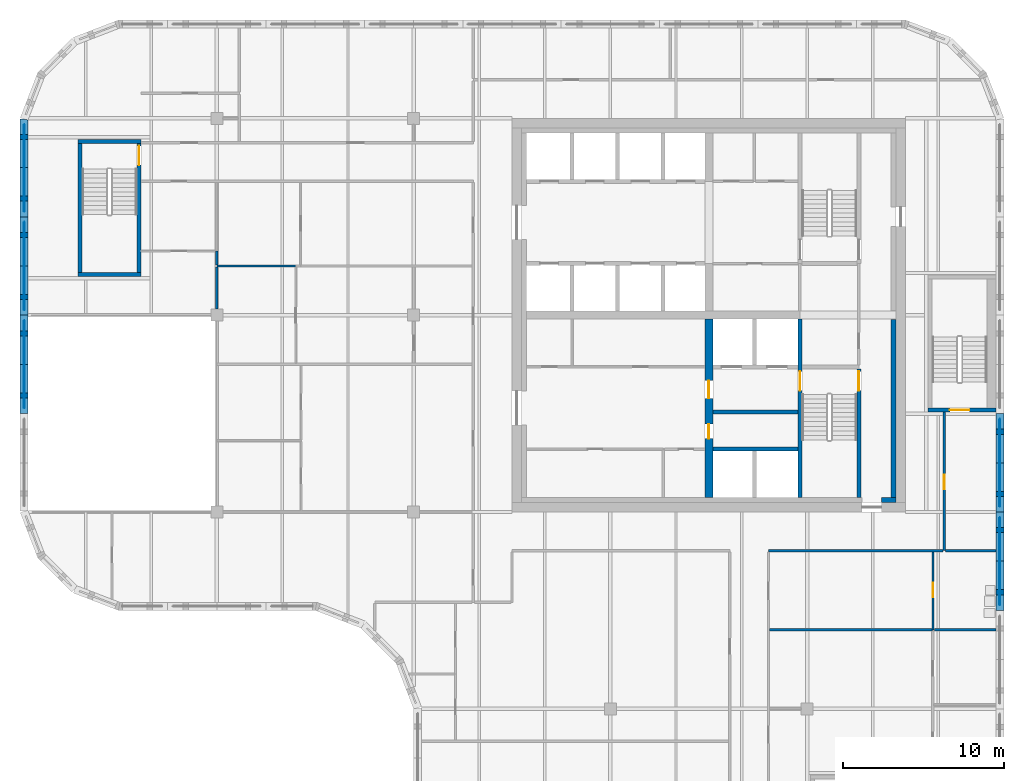
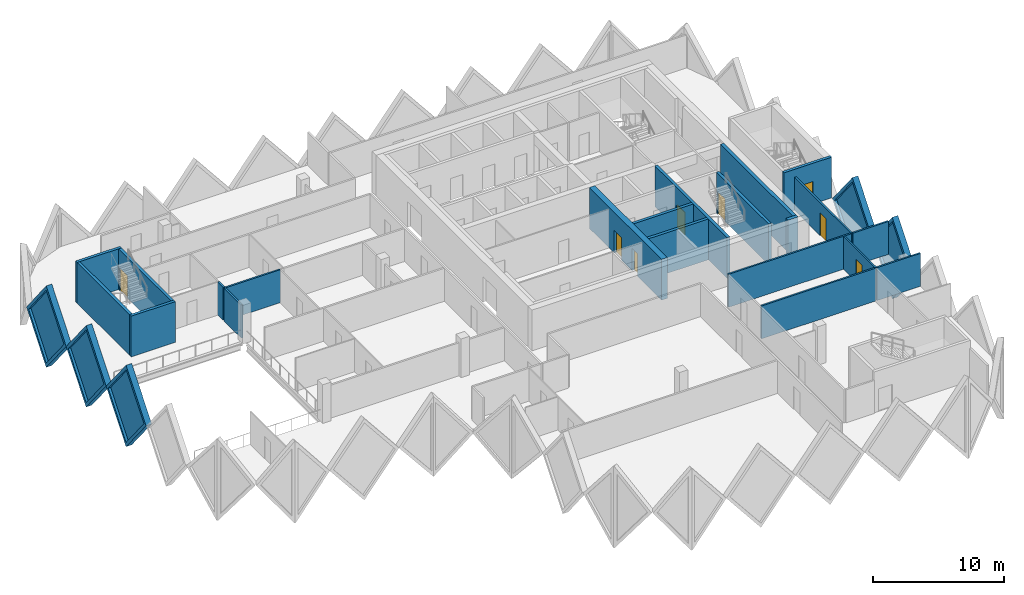
# One storey, part 6 of 12: 26 walls, 8 doors, 5 plates, 13 openings.
"""IFC4 building model written with IfcOpenShell, lengths in metres."""

from ifc_helpers import new_model, si_unit, direction, frame, frame_2d, origin, place, context, subcontext, project, spatial, polyline, rectangle, outline, extrude, faceted_brep, source, transform, mapped, material, layer, layer_set, type_object, element, fill, save


model = new_model("IFC4")

# Units and contexts
model_context = context("Model", 3, precision=1e-05, world=origin(), true_north=direction((0.0, 1.0)))
body_context = subcontext(model_context, "Body", "Model", "MODEL_VIEW")
ifc_project = project(units=[si_unit("LENGTHUNIT", "METRE"), si_unit("AREAUNIT", "SQUARE_METRE"), si_unit("VOLUMEUNIT", "CUBIC_METRE"), si_unit("PLANEANGLEUNIT", "RADIAN"), si_unit("MASSUNIT", "GRAM", prefix="KILO")], contexts=[model_context])

# Site, building, storey
site_placement = place(None, origin())
site = spatial("IfcSite", under=ifc_project, at=site_placement, CompositionType="ELEMENT")
building_placement = place(site_placement, origin())
building = spatial("IfcBuilding", under=site, at=building_placement, Name="Tessera Gate Towers", CompositionType="ELEMENT")
storey_placement = place(building_placement, frame((0.0, 0.0, 178.199951171875)))
storey = spatial("IfcBuildingStorey", under=building, at=storey_placement, Name="L44", CompositionType="ELEMENT", Elevation=178.199951171875)

# Wall, opening, door
ifc_material_1 = material(Name="Concrete C40/50", Category="concrete")
ifc_layer_1 = layer(ifc_material_1, 0.25)
ifc_layer_set_1 = layer_set([ifc_layer_1], Name="CORE ENCLOSURE WALL 250")
wall_type_1 = type_object("IfcWallType", Name="CORE ENCLOSURE WALL 250", PredefinedType="SOLIDWALL", material=ifc_layer_set_1)
wall_1_placement = place(storey_placement, frame((48.35009765625, 36.35009765625, 0.0), z_axis=(0.0, 0.0, 1.0), x_axis=(0.0, -1.0, 0.0)))
wall_1 = element("IfcWall", 1, at=wall_1_placement, inside=storey, type_object=wall_type_1, Name="L44 shaft and stair enclosure wall", PredefinedType="SOLIDWALL", context=body_context, shape_type="SweptSolid", body=[
    extrude(rectangle(XDim=11.050048828125, YDim=0.25, at=frame_2d((5.52490234375, 0.0))), origin(), (0.0, 0.0, 1.0), 3.800048828125),
])
shared_shape_1 = source(origin(), body_context, "Body", "SweptSolid", [
    extrude(rectangle(XDim=1.199951171875, YDim=2.10009765625, at=frame_2d((0.60009765625, 1.050048828125))), frame((0.0, 0.135009765625, 0.0), z_axis=(0.0, -1.0, 0.0), x_axis=(1.0, 0.0, 0.0)), (0.0, 0.0, 1.0), 0.27001953125),
])
opening_1_placement = place(wall_1_placement, frame((3.22509765625, 0.0, 0.0)))
opening_1 = element("IfcOpeningElement", 2, at=opening_1_placement, cuts=wall_1, Name="Opening SD-ST1-1", PredefinedType="OPENING", context=body_context, shape_type="MappedRepresentation", body=[
    mapped(shared_shape_1, transform((0.0, 0.0, 0.0), scale=1.0)),
])
ifc_material_2 = material(Name="Hollow steel fire door", Category="steel")
door_type_1 = type_object("IfcDoorType", Name="CORE DOOR SD 1200x2100", OperationType="NOTDEFINED", PredefinedType="DOOR", material=ifc_material_2)
shared_shape_2 = source(origin(), body_context, "Body", "SweptSolid", [
    extrude(rectangle(XDim=1.199951171875, YDim=2.10009765625, at=frame_2d((0.60009765625, 1.050048828125))), frame((0.0, 0.02490234375, 0.0), z_axis=(0.0, -1.0, 0.0), x_axis=(1.0, 0.0, 0.0)), (0.0, 0.0, 1.0), 0.050048828125),
])
door_1_placement = place(opening_1_placement, origin())
door_1 = element("IfcDoor", 3, at=door_1_placement, inside=storey, type_object=door_type_1, Name="Stair door", OperationType="SINGLE_SWING_LEFT", OverallHeight=2.10009765625, OverallWidth=1.199951171875, PredefinedType="DOOR", context=body_context, shape_type="MappedRepresentation", body=[
    mapped(shared_shape_2, transform((0.0, 0.0, 0.0), scale=1.0)),
])
fill(opening_1, door_1)

wall_2_placement = place(storey_placement, frame((52.0, 25.300048828125, 0.0), z_axis=(0.0, 0.0, 1.0), x_axis=(0.0, 1.0, 0.0)))
wall_2 = element("IfcWall", 4, at=wall_2_placement, inside=storey, type_object=wall_type_1, Name="L44 shaft and stair enclosure wall", PredefinedType="SOLIDWALL", context=body_context, shape_type="SweptSolid", body=[
    extrude(rectangle(XDim=7.974853515625, YDim=0.25, at=frame_2d((3.9873046875, 0.0))), origin(), (0.0, 0.0, 1.0), 3.800048828125),
])
opening_2_placement = place(wall_2_placement, frame((6.625, 0.0, 0.0)))
opening_2 = element("IfcOpeningElement", 5, at=opening_2_placement, cuts=wall_2, Name="Opening SD-ST1-2", PredefinedType="OPENING", context=body_context, shape_type="MappedRepresentation", body=[
    mapped(shared_shape_1, transform((0.0, 0.0, 0.0), scale=1.0)),
])
door_2_placement = place(opening_2_placement, origin())
door_2 = element("IfcDoor", 6, at=door_2_placement, inside=storey, type_object=door_type_1, Name="Stair door", OperationType="SINGLE_SWING_RIGHT", OverallHeight=2.10009765625, OverallWidth=1.199951171875, PredefinedType="DOOR", context=body_context, shape_type="MappedRepresentation", body=[
    mapped(shared_shape_2, transform((0.0, 0.0, 0.0), scale=1.0)),
])
fill(opening_2, door_2)

# Walls
for number, where, z_axis, x_axis, name in (
    (7, (42.949951171875, 28.300048828125, 0.0), (0.0, 0.0, 1.0), (1.0, 0.0, 0.0), "L44 shaft and stair enclosure wall"),
    (8, (42.949951171875, 30.60009765625, 0.0), (0.0, 0.0, 1.0), (1.0, 0.0, 0.0), "L44 shaft and stair enclosure wall"),
):
    element("IfcWall", number, at=place(storey_placement, frame(where, z_axis=z_axis, x_axis=x_axis)), inside=storey, type_object=wall_type_1, Name=name, PredefinedType="SOLIDWALL", context=body_context, shape_type="SweptSolid", body=[
        extrude(rectangle(XDim=5.275146484375, YDim=0.25, at=frame_2d((2.6376953125, 0.0))), origin(), (0.0, 0.0, 1.0), 3.800048828125),
    ])
wall_3_placement = place(storey_placement, frame((7.5, 39.125, 0.0), z_axis=(0.0, 0.0, 1.0), x_axis=(-1.0, 0.0, 0.0)))
element("IfcWall", 9, at=wall_3_placement, inside=storey, type_object=wall_type_1, Name="L44 ST3 enclosure wall", PredefinedType="SOLIDWALL", context=body_context, shape_type="SweptSolid", body=[
    extrude(rectangle(XDim=3.89990234375, YDim=0.25, at=frame_2d((1.949951171875, 0.0))), origin(), (0.0, 0.0, 1.0), 3.800048828125),
])
wall_4_placement = place(storey_placement, frame((3.72509765625, 39.25, 0.0), z_axis=(0.0, 0.0, 1.0), x_axis=(0.0, 1.0, 0.0)))
element("IfcWall", 10, at=wall_4_placement, inside=storey, type_object=wall_type_1, Name="L44 ST3 enclosure wall", PredefinedType="SOLIDWALL", context=body_context, shape_type="SweptSolid", body=[
    extrude(rectangle(XDim=8.0, YDim=0.25, at=frame_2d((4.0, 0.0))), origin(), (0.0, 0.0, 1.0), 3.800048828125),
])
wall_5_placement = place(storey_placement, frame((3.60009765625, 47.375, 0.0), z_axis=(0.0, 0.0, 1.0), x_axis=(1.0, 0.0, 0.0)))
element("IfcWall", 11, at=wall_5_placement, inside=storey, type_object=wall_type_1, Name="L44 ST3 enclosure wall", PredefinedType="SOLIDWALL", context=body_context, shape_type="SweptSolid", body=[
    extrude(rectangle(XDim=3.89990234375, YDim=0.25, at=frame_2d((1.949951171875, 0.0))), origin(), (0.0, 0.0, 1.0), 3.800048828125),
])

# Wall, opening, door
wall_6_placement = place(storey_placement, frame((7.375, 47.25, 0.0), z_axis=(0.0, 0.0, 1.0), x_axis=(0.0, -1.0, 0.0)))
wall_6 = element("IfcWall", 12, at=wall_6_placement, inside=storey, type_object=wall_type_1, Name="L44 ST3 enclosure wall", PredefinedType="SOLIDWALL", context=body_context, shape_type="SweptSolid", body=[
    extrude(rectangle(XDim=8.0, YDim=0.25, at=frame_2d((4.0, 0.0))), origin(), (0.0, 0.0, 1.0), 3.800048828125),
])
opening_3_placement = place(wall_6_placement, frame((0.14990234375, 0.0, 0.0)))
opening_3 = element("IfcOpeningElement", 13, at=opening_3_placement, cuts=wall_6, Name="Opening SD-ST3-1", PredefinedType="OPENING", context=body_context, shape_type="MappedRepresentation", body=[
    mapped(shared_shape_1, transform((0.0, 0.0, 0.0), scale=1.0)),
])
door_3_placement = place(opening_3_placement, origin())
door_3 = element("IfcDoor", 14, at=door_3_placement, inside=storey, type_object=door_type_1, Name="Stair door", OperationType="SINGLE_SWING_LEFT", OverallHeight=2.10009765625, OverallWidth=1.199951171875, PredefinedType="DOOR", context=body_context, shape_type="MappedRepresentation", body=[
    mapped(shared_shape_2, transform((0.0, 0.0, 0.0), scale=1.0)),
])
fill(opening_3, door_3)

wall_7_placement = place(storey_placement, frame((60.5, 30.72509765625, 0.0), z_axis=(0.0, 0.0, 1.0), x_axis=(-1.0, 0.0, 0.0)))
wall_7 = element("IfcWall", 15, at=wall_7_placement, inside=storey, type_object=wall_type_1, Name="L44 ST5 enclosure wall", PredefinedType="SOLIDWALL", context=body_context, shape_type="SweptSolid", body=[
    extrude(rectangle(XDim=4.199951171875, YDim=0.25, at=frame_2d((2.10009765625, 0.0))), origin(), (0.0, 0.0, 1.0), 3.800048828125),
])
opening_4_placement = place(wall_7_placement, frame((1.64990234375, 0.0, 0.0)))
opening_4 = element("IfcOpeningElement", 16, at=opening_4_placement, cuts=wall_7, Name="Opening SD-ST5-1", PredefinedType="OPENING", context=body_context, shape_type="MappedRepresentation", body=[
    mapped(shared_shape_1, transform((0.0, 0.0, 0.0), scale=1.0)),
])
door_4_placement = place(opening_4_placement, origin())
door_4 = element("IfcDoor", 17, at=door_4_placement, inside=storey, type_object=door_type_1, Name="Stair door", OperationType="SINGLE_SWING_RIGHT", OverallHeight=2.10009765625, OverallWidth=1.199951171875, PredefinedType="DOOR", context=body_context, shape_type="MappedRepresentation", body=[
    mapped(shared_shape_2, transform((0.0, 0.0, 0.0), scale=1.0)),
])
fill(opening_4, door_4)

# Wall, openings, doors
ifc_material_3 = material(Name="Concrete C50/60", Category="concrete")
ifc_layer_2 = layer(ifc_material_3, 0.5)
ifc_layer_set_2 = layer_set([ifc_layer_2], Name="CORE SPINE WALL 500 C50/60")
wall_type_2 = type_object("IfcWallType", Name="CORE SPINE WALL 500 C50/60", PredefinedType="SHEAR", material=ifc_layer_set_2)
wall_8_placement = place(storey_placement, frame((42.699951171875, 36.35009765625, 0.0), z_axis=(0.0, 0.0, 1.0), x_axis=(0.0, -1.0, 0.0)))
wall_8 = element("IfcWall", 18, at=wall_8_placement, inside=storey, type_object=wall_type_2, Name="Core wall spine L44", PredefinedType="SHEAR", context=body_context, shape_type="SweptSolid", body=[
    extrude(rectangle(XDim=11.050048828125, YDim=0.5, at=frame_2d((5.52490234375, 0.0))), origin(), (0.0, 0.0, 1.0), 3.800048828125),
])
shared_shape_3 = source(origin(), body_context, "Body", "SweptSolid", [
    extrude(rectangle(XDim=0.89990234375, YDim=2.10009765625, at=frame_2d((0.449951171875, 1.050048828125))), frame((0.0, 0.260009765625, 0.0), z_axis=(0.0, -1.0, 0.0), x_axis=(1.0, 0.0, 0.0)), (0.0, 0.0, 1.0), 0.52001953125),
])
opening_5_placement = place(wall_8_placement, frame((6.5, 0.0, 0.0)))
opening_5 = element("IfcOpeningElement", 19, at=opening_5_placement, cuts=wall_8, Name="Opening RD-T1-28-05", PredefinedType="OPENING", context=body_context, shape_type="MappedRepresentation", body=[
    mapped(shared_shape_3, transform((0.0, 0.0, 0.0), scale=1.0)),
])
shared_shape_4 = source(origin(), body_context, "Body", "SweptSolid", [
    extrude(rectangle(XDim=1.10009765625, YDim=2.10009765625, at=frame_2d((0.550048828125, 1.050048828125))), frame((0.0, 0.260009765625, 0.0), z_axis=(0.0, -1.0, 0.0), x_axis=(1.0, 0.0, 0.0)), (0.0, 0.0, 1.0), 0.52001953125),
])
opening_6_placement = place(wall_8_placement, frame((3.800048828125, 0.0, 0.0)))
opening_6 = element("IfcOpeningElement", 20, at=opening_6_placement, cuts=wall_8, Name="Opening FD-T1-28-06", PredefinedType="OPENING", context=body_context, shape_type="MappedRepresentation", body=[
    mapped(shared_shape_4, transform((0.0, 0.0, 0.0), scale=1.0)),
])
ifc_material_4 = material(Name="Hollow steel fire door", Category="steel")
door_type_2 = type_object("IfcDoorType", Name="CORE DOOR RD 900x2100", OperationType="NOTDEFINED", PredefinedType="DOOR", material=ifc_material_4)
shared_shape_5 = source(origin(), body_context, "Body", "SweptSolid", [
    extrude(rectangle(XDim=0.89990234375, YDim=2.10009765625, at=frame_2d((0.449951171875, 1.050048828125))), frame((0.0, 0.02490234375, 0.0), z_axis=(0.0, -1.0, 0.0), x_axis=(1.0, 0.0, 0.0)), (0.0, 0.0, 1.0), 0.050048828125),
])
door_5_placement = place(opening_5_placement, origin())
door_5 = element("IfcDoor", 21, at=door_5_placement, inside=storey, type_object=door_type_2, Name="Core room door", OperationType="SINGLE_SWING_RIGHT", OverallHeight=2.10009765625, OverallWidth=0.89990234375, PredefinedType="DOOR", context=body_context, shape_type="MappedRepresentation", body=[
    mapped(shared_shape_5, transform((0.0, 0.0, 0.0), scale=1.0)),
])
fill(opening_5, door_5)
ifc_material_5 = material(Name="Hollow steel fire door", Category="steel")
door_type_3 = type_object("IfcDoorType", Name="CORE DOOR FD 1100x2100", OperationType="NOTDEFINED", PredefinedType="DOOR", material=ifc_material_5)
shared_shape_6 = source(origin(), body_context, "Body", "SweptSolid", [
    extrude(rectangle(XDim=1.10009765625, YDim=2.10009765625, at=frame_2d((0.550048828125, 1.050048828125))), frame((0.0, 0.02490234375, 0.0), z_axis=(0.0, -1.0, 0.0), x_axis=(1.0, 0.0, 0.0)), (0.0, 0.0, 1.0), 0.050048828125),
])
door_6_placement = place(opening_6_placement, origin())
door_6 = element("IfcDoor", 22, at=door_6_placement, inside=storey, type_object=door_type_3, Name="Fire-fighting lobby door", OperationType="SINGLE_SWING_LEFT", OverallHeight=2.10009765625, OverallWidth=1.10009765625, PredefinedType="DOOR", context=body_context, shape_type="MappedRepresentation", body=[
    mapped(shared_shape_6, transform((0.0, 0.0, 0.0), scale=1.0)),
])
fill(opening_6, door_6)

# Walls
ifc_material_6 = material(Name="Concrete C50/60", Category="concrete")
ifc_layer_3 = layer(ifc_material_6, 0.300048828125)
ifc_layer_set_3 = layer_set([ifc_layer_3], Name="CORE WALL THICKENING 300")
wall_type_3 = type_object("IfcWallType", Name="CORE WALL THICKENING 300", PredefinedType="SOLIDWALL", material=ifc_layer_set_3)
wall_9_placement = place(storey_placement, frame((53.39990234375, 25.14990234375, 0.0), z_axis=(0.0, 0.0, 1.0), x_axis=(1.0, 0.0, 0.0)))
element("IfcWall", 23, at=wall_9_placement, inside=storey, type_object=wall_type_3, Name="Core wall thickening S L44", PredefinedType="SOLIDWALL", context=body_context, shape_type="SweptSolid", body=[
    extrude(rectangle(XDim=0.900146484375, YDim=0.300048828125, at=frame_2d((0.4501953125, 0.0))), origin(), (0.0, 0.0, 1.0), 3.800048828125),
])
wall_10_placement = place(storey_placement, frame((54.14990234375, 25.300048828125, 0.0), z_axis=(0.0, 0.0, 1.0), x_axis=(0.0, 1.0, 0.0)))
element("IfcWall", 24, at=wall_10_placement, inside=storey, type_object=wall_type_3, Name="Core wall thickening E L44", PredefinedType="SOLIDWALL", context=body_context, shape_type="SweptSolid", body=[
    extrude(rectangle(XDim=11.02001953125, YDim=0.300048828125, at=frame_2d((5.510009765625, 0.0))), origin(), (0.0, 0.0, 1.0), 3.800048828125),
])
ifc_material_7 = material(Name="Gypsum board on steel studs, mineral wool", Category="steel")
ifc_layer_4 = layer(ifc_material_7, 0.14990234375)
ifc_layer_set_4 = layer_set([ifc_layer_4], Name="CORRIDOR WALL 150")
wall_type_4 = type_object("IfcWallType", Name="CORRIDOR WALL 150", PredefinedType="PARTITIONING", material=ifc_layer_set_4)
wall_11_placement = place(storey_placement, frame((46.39990234375, 22.0, 0.0), z_axis=(0.0, 0.0, 1.0), x_axis=(1.0, 0.0, 0.0)))
element("IfcWall", 25, at=wall_11_placement, inside=storey, type_object=wall_type_4, Name="T1-L44-PW-021", PredefinedType="PARTITIONING", context=body_context, shape_type="SweptSolid", body=[
    extrude(rectangle(XDim=10.82421875, YDim=0.14990234375, at=frame_2d((5.412109375, 0.0))), origin(), (0.0, 0.0, 1.0), 3.067138671875),
])

# Wall, opening, door
wall_12_placement = place(storey_placement, frame((57.300048828125, 30.60009765625, 0.0), z_axis=(0.0, 0.0, 1.0), x_axis=(0.0, -1.0, 0.0)))
wall_12 = element("IfcWall", 26, at=wall_12_placement, inside=storey, type_object=wall_type_4, Name="T1-L44-PW-022", PredefinedType="PARTITIONING", context=body_context, shape_type="SweptSolid", body=[
    extrude(rectangle(XDim=8.60009765625, YDim=0.14990234375, at=frame_2d((4.300048828125, 0.0))), origin(), (0.0, 0.0, 1.0), 3.067138671875),
])
shared_shape_7 = source(origin(), body_context, "Body", "SweptSolid", [
    extrude(rectangle(XDim=0.89990234375, YDim=2.10009765625, at=frame_2d((0.449951171875, 1.050048828125))), frame((0.0, 0.0849609375, 0.0), z_axis=(0.0, -1.0, 0.0), x_axis=(1.0, 0.0, 0.0)), (0.0, 0.0, 1.0), 0.169921875),
])
opening_7_placement = place(wall_12_placement, frame((3.89990234375, 0.0, 0.0)))
opening_7 = element("IfcOpeningElement", 27, at=opening_7_placement, cuts=wall_12, Name="Opening D890FD60-A16-04", PredefinedType="OPENING", context=body_context, shape_type="MappedRepresentation", body=[
    mapped(shared_shape_7, transform((0.0, 0.0, 0.0), scale=1.0)),
])
ifc_material_8 = material(Name="Timber door leaf in steel frame", Category="steel")
door_type_4 = type_object("IfcDoorType", Name="CORRIDOR DOOR 900 FD60", OperationType="NOTDEFINED", PredefinedType="DOOR", material=ifc_material_8)
door_7_placement = place(opening_7_placement, origin())
door_7 = element("IfcDoor", 28, at=door_7_placement, inside=storey, type_object=door_type_4, Name="T1-L44-PD-021", OperationType="SINGLE_SWING_RIGHT", OverallHeight=2.10009765625, OverallWidth=0.89990234375, PredefinedType="DOOR", context=body_context, shape_type="MappedRepresentation", body=[
    mapped(shared_shape_5, transform((0.0, 0.0, 0.0), scale=1.0)),
])
fill(opening_7, door_7)

# Wall
ifc_material_9 = material(Name="Gypsum board on steel studs, mineral wool", Category="steel")
ifc_layer_5 = layer(ifc_material_9, 0.14990234375)
ifc_layer_set_5 = layer_set([ifc_layer_5], Name="TENANCY WALL 150")
wall_type_5 = type_object("IfcWallType", Name="TENANCY WALL 150", PredefinedType="PARTITIONING", material=ifc_layer_set_5)
wall_13_placement = place(storey_placement, frame((46.47607421875, 17.10009765625, 0.0), z_axis=(0.0, 0.0, 1.0), x_axis=(1.0, 0.0, 0.0)))
element("IfcWall", 29, at=wall_13_placement, inside=storey, type_object=wall_type_5, Name="T1-L44-PW-012", PredefinedType="PARTITIONING", context=body_context, shape_type="SweptSolid", body=[
    extrude(rectangle(XDim=10.098876953125, YDim=0.14990234375, at=frame_2d((5.04931640625, 0.0))), origin(), (0.0, 0.0, 1.0), 3.067138671875),
])

# Wall, opening, door
wall_14_placement = place(storey_placement, frame((56.60009765625, 21.924072265625, 0.0), z_axis=(0.0, 0.0, 1.0), x_axis=(0.0, -1.0, 0.0)))
wall_14 = element("IfcWall", 30, at=wall_14_placement, inside=storey, type_object=wall_type_5, Name="T1-L44-PW-013", PredefinedType="PARTITIONING", context=body_context, shape_type="SweptSolid", body=[
    extrude(rectangle(XDim=4.823974609375, YDim=0.14990234375, at=frame_2d((2.412109375, 0.0))), origin(), (0.0, 0.0, 1.0), 3.067138671875),
])
opening_8_placement = place(wall_14_placement, frame((1.924072265625, 0.0, 0.0)))
opening_8 = element("IfcOpeningElement", 31, at=opening_8_placement, cuts=wall_14, Name="Opening D190-A16-07", PredefinedType="OPENING", context=body_context, shape_type="MappedRepresentation", body=[
    mapped(shared_shape_7, transform((0.0, 0.0, 0.0), scale=1.0)),
])
ifc_material_10 = material(Name="Timber door leaf in steel frame", Category="steel")
door_type_5 = type_object("IfcDoorType", Name="INTERNAL DOOR 900 NOT RATED", OperationType="NOTDEFINED", PredefinedType="DOOR", material=ifc_material_10)
door_8_placement = place(opening_8_placement, origin())
door_8 = element("IfcDoor", 32, at=door_8_placement, inside=storey, type_object=door_type_5, Name="T1-L44-PD-011", OperationType="SINGLE_SWING_RIGHT", OverallHeight=2.10009765625, OverallWidth=0.89990234375, PredefinedType="DOOR", context=body_context, shape_type="MappedRepresentation", body=[
    mapped(shared_shape_5, transform((0.0, 0.0, 0.0), scale=1.0)),
])
fill(opening_8, door_8)

# Walls
wall_15_placement = place(storey_placement, frame((56.676025390625, 17.10009765625, 0.0), z_axis=(0.0, 0.0, 1.0), x_axis=(1.0, 0.0, 0.0)))
element("IfcWall", 33, at=wall_15_placement, inside=storey, type_object=wall_type_5, Name="T1-L44-PW-014", PredefinedType="PARTITIONING", context=body_context, shape_type="SweptSolid", body=[
    extrude(rectangle(XDim=3.823974609375, YDim=0.14990234375, at=frame_2d((1.912109375, 0.0))), origin(), (0.0, 0.0, 1.0), 3.067138671875),
])
wall_16_placement = place(storey_placement, frame((57.3759765625, 22.0, 0.0), z_axis=(0.0, 0.0, 1.0), x_axis=(1.0, 0.0, 0.0)))
element("IfcWall", 34, at=wall_16_placement, inside=storey, type_object=wall_type_5, Name="T1-L44-PW-023", PredefinedType="PARTITIONING", context=body_context, shape_type="SweptSolid", body=[
    extrude(rectangle(XDim=3.1240234375, YDim=0.14990234375, at=frame_2d((1.56201171875, 0.0))), origin(), (0.0, 0.0, 1.0), 3.067138671875),
])
wall_17_placement = place(storey_placement, frame((12.199951171875, 36.97607421875, 0.0), z_axis=(0.0, 0.0, 1.0), x_axis=(0.0, 1.0, 0.0)))
element("IfcWall", 35, at=wall_17_placement, inside=storey, type_object=wall_type_5, Name="T1-L44-PW-032", PredefinedType="PARTITIONING", context=body_context, shape_type="SweptSolid", body=[
    extrude(rectangle(XDim=2.597900390625, YDim=0.14990234375, at=frame_2d((1.298828125, 0.0))), origin(), (0.0, 0.0, 1.0), 3.067138671875),
])
wall_18_placement = place(storey_placement, frame((12.199951171875, 39.64990234375, 0.0), z_axis=(0.0, 0.0, 1.0), x_axis=(1.0, 0.0, 0.0)))
element("IfcWall", 36, at=wall_18_placement, inside=storey, type_object=wall_type_5, Name="T1-L44-PW-034", PredefinedType="PARTITIONING", context=body_context, shape_type="SweptSolid", body=[
    extrude(rectangle(XDim=4.900146484375, YDim=0.14990234375, at=frame_2d((2.4501953125, 0.0))), origin(), (0.0, 0.0, 1.0), 3.067138671875),
])
wall_19_placement = place(storey_placement, frame((12.199951171875, 39.72607421875, 0.0), z_axis=(0.0, 0.0, 1.0), x_axis=(0.0, 1.0, 0.0)))
element("IfcWall", 37, at=wall_19_placement, inside=storey, type_object=wall_type_5, Name="T1-L44-PW-037", PredefinedType="PARTITIONING", context=body_context, shape_type="SweptSolid", body=[
    extrude(rectangle(XDim=0.848876953125, YDim=0.14990234375, at=frame_2d((0.42431640625, 0.0))), origin(), (0.0, 0.0, 1.0), 3.067138671875),
])

# Wall, opening, plate
ifc_material_11 = material(Name="Precast concrete C60/75 white", Category="concrete")
ifc_layer_6 = layer(ifc_material_11, 0.5)
ifc_layer_set_6 = layer_set([ifc_layer_6], Name="TS1 tessera")
wall_type_6 = type_object("IfcWallType", Name="TS1 tessera", PredefinedType="SOLIDWALL", material=ifc_layer_set_6)
shared_shape_8 = source(origin(), body_context, "Body", "Brep", [
    faceted_brep([(3.00341796875, -0.25, 0.0), (6.053466796875, -0.25, 3.800048828125), (3.00341796875, -0.25, 7.60009765625), (0.0, -0.25, 3.800048828125), (0.046630859375, 0.25, 3.85888671875), (3.00341796875, 0.25, 7.60009765625), (6.053466796875, 0.25, 3.800048828125), (3.00341796875, 0.25, 0.0), (0.046630859375, 0.25, 3.7412109375), (0.0, 0.0, 3.800048828125)], [[[0, 1, 2, 3]], [[4, 5, 6, 7, 8]], [[7, 6, 1, 0]], [[6, 5, 2, 1]], [[5, 4, 9, 3, 2]], [[8, 7, 0, 3, 9]], [[8, 9, 4]]]),
])
wall_20_placement = place(storey_placement, frame((0.25, 48.75341796875, -3.800048828125), z_axis=(0.0, 0.0, 1.0), x_axis=(0.0, -1.0, 0.0)))
wall_20 = element("IfcWall", 38, at=wall_20_placement, inside=storey, type_object=wall_type_6, Name="Precast tessera T1 TS1-0776", PredefinedType="SOLIDWALL", context=body_context, shape_type="MappedRepresentation", body=[
    mapped(shared_shape_8, transform((0.0, 0.0, 0.0), scale=1.0)),
])
shared_shape_9 = source(origin(), body_context, "Body", "SweptSolid", [
    extrude(outline(polyline([(3.0048828125, 0.4013671875), (5.73291015625, 3.800048828125), (3.0048828125, 7.19873046875), (0.318603515625, 3.800048828125), (3.0048828125, 0.4013671875)])), frame((0.0, 0.260009765625, 0.0), z_axis=(0.0, -1.0, 0.0), x_axis=(1.0, 0.0, 0.0)), (0.0, 0.0, 1.0), 0.52001953125),
])
opening_9_placement = place(wall_20_placement, origin())
opening_9 = element("IfcOpeningElement", 39, at=opening_9_placement, cuts=wall_20, Name="Opening T1-PL2-1582", PredefinedType="OPENING", context=body_context, shape_type="MappedRepresentation", body=[
    mapped(shared_shape_9, transform((0.0, 0.0, 0.0), scale=1.0)),
])
ifc_material_12 = material(Name="Low-e laminated glass", Category="glass")
ifc_layer_7 = layer(ifc_material_12, 0.06005859375)
ifc_layer_set_7 = layer_set([ifc_layer_7], Name="PL2 rhombic pane")
plate_type = type_object("IfcPlateType", Name="PL2 rhombic pane", PredefinedType="SHEET", material=ifc_layer_set_7)
shared_shape_10 = source(origin(), body_context, "Body", "SweptSolid", [
    extrude(outline(polyline([(3.0048828125, 0.4013671875), (5.73291015625, 3.800048828125), (3.0048828125, 7.19873046875), (0.318603515625, 3.800048828125), (3.0048828125, 0.4013671875)])), frame((0.0, 0.030029296875, 0.0), z_axis=(0.0, -1.0, 0.0), x_axis=(1.0, 0.0, 0.0)), (0.0, 0.0, 1.0), 0.06005859375),
])
plate_1_placement = place(opening_9_placement, origin())
plate_1 = element("IfcPlate", 40, at=plate_1_placement, inside=storey, type_object=plate_type, Name="Glass pane T1 PL2-1582", PredefinedType="SHEET", context=body_context, shape_type="MappedRepresentation", body=[
    mapped(shared_shape_10, transform((0.0, 0.0, 0.0), scale=1.0)),
])
fill(opening_9, plate_1)

shared_shape_11 = source(origin(), body_context, "Body", "Brep", [
    faceted_brep([(3.050048828125, -0.25, 0.0), (6.099853515625, -0.25, 3.7998046875), (6.099853515625, -0.25, 3.80029296875), (3.050048828125, -0.25, 7.60009765625), (0.0, -0.25, 3.800048828125), (0.0, 0.25, 3.800048828125), (3.050048828125, 0.25, 7.60009765625), (6.099853515625, 0.25, 3.80029296875), (6.099853515625, 0.25, 3.7998046875), (3.050048828125, 0.25, 0.0)], [[[0, 1, 2, 3, 4]], [[5, 6, 7, 8, 9]], [[9, 8, 1, 0]], [[7, 6, 3, 2]], [[6, 5, 4, 3]], [[5, 9, 0, 4]], [[1, 8, 7, 2]]]),
])
wall_21_placement = place(storey_placement, frame((60.75, 18.300048828125, -3.800048828125), z_axis=(0.0, 0.0, 1.0), x_axis=(0.0, 1.0, 0.0)))
wall_21 = element("IfcWall", 41, at=wall_21_placement, inside=storey, type_object=wall_type_6, Name="Precast tessera T1 TS1-0764", PredefinedType="SOLIDWALL", context=body_context, shape_type="MappedRepresentation", body=[
    mapped(shared_shape_11, transform((0.0, 0.0, 0.0), scale=1.0)),
])
shared_shape_12 = source(origin(), body_context, "Body", "SweptSolid", [
    extrude(outline(polyline([(3.050048828125, 0.3994140625), (5.779541015625, 3.800048828125), (3.050048828125, 7.20068359375), (0.320556640625, 3.800048828125), (3.050048828125, 0.3994140625)])), frame((0.0, 0.260009765625, 0.0), z_axis=(0.0, -1.0, 0.0), x_axis=(1.0, 0.0, 0.0)), (0.0, 0.0, 1.0), 0.52001953125),
])
opening_10_placement = place(wall_21_placement, origin())
opening_10 = element("IfcOpeningElement", 42, at=opening_10_placement, cuts=wall_21, Name="Opening T1-PL2-1562", PredefinedType="OPENING", context=body_context, shape_type="MappedRepresentation", body=[
    mapped(shared_shape_12, transform((0.0, 0.0, 0.0), scale=1.0)),
])
shared_shape_13 = source(origin(), body_context, "Body", "SweptSolid", [
    extrude(outline(polyline([(3.050048828125, 0.3994140625), (5.779541015625, 3.800048828125), (3.050048828125, 7.20068359375), (0.320556640625, 3.800048828125), (3.050048828125, 0.3994140625)])), frame((0.0, 0.030029296875, 0.0), z_axis=(0.0, -1.0, 0.0), x_axis=(1.0, 0.0, 0.0)), (0.0, 0.0, 1.0), 0.06005859375),
])
plate_2_placement = place(opening_10_placement, origin())
plate_2 = element("IfcPlate", 43, at=plate_2_placement, inside=storey, type_object=plate_type, Name="Glass pane T1 PL2-1562", PredefinedType="SHEET", context=body_context, shape_type="MappedRepresentation", body=[
    mapped(shared_shape_13, transform((0.0, 0.0, 0.0), scale=1.0)),
])
fill(opening_10, plate_2)

wall_22_placement = place(storey_placement, frame((0.25, 42.699951171875, -3.800048828125), z_axis=(0.0, 0.0, 1.0), x_axis=(0.0, -1.0, 0.0)))
wall_22 = element("IfcWall", 44, at=wall_22_placement, inside=storey, type_object=wall_type_6, Name="Precast tessera T1 TS1-0777", PredefinedType="SOLIDWALL", context=body_context, shape_type="MappedRepresentation", body=[
    mapped(shared_shape_11, transform((0.0, 0.0, 0.0), scale=1.0)),
])
opening_11_placement = place(wall_22_placement, origin())
opening_11 = element("IfcOpeningElement", 45, at=opening_11_placement, cuts=wall_22, Name="Opening T1-PL2-1583", PredefinedType="OPENING", context=body_context, shape_type="MappedRepresentation", body=[
    mapped(shared_shape_12, transform((0.0, 0.0, 0.0), scale=1.0)),
])
plate_3_placement = place(opening_11_placement, origin())
plate_3 = element("IfcPlate", 46, at=plate_3_placement, inside=storey, type_object=plate_type, Name="Glass pane T1 PL2-1583", PredefinedType="SHEET", context=body_context, shape_type="MappedRepresentation", body=[
    mapped(shared_shape_13, transform((0.0, 0.0, 0.0), scale=1.0)),
])
fill(opening_11, plate_3)

shared_shape_14 = source(origin(), body_context, "Body", "SweptSolid", [
    extrude(outline(polyline([(3.050048828125, 0.0), (6.10009765625, 3.800048828125), (3.050048828125, 7.60009765625), (0.0, 3.800048828125), (3.050048828125, 0.0)])), frame((0.0, 0.25, 0.0), z_axis=(0.0, -1.0, 0.0), x_axis=(1.0, 0.0, 0.0)), (0.0, 0.0, 1.0), 0.5),
])
wall_23_placement = place(storey_placement, frame((60.75, 24.39990234375, -3.800048828125), z_axis=(0.0, 0.0, 1.0), x_axis=(0.0, 1.0, 0.0)))
wall_23 = element("IfcWall", 47, at=wall_23_placement, inside=storey, type_object=wall_type_6, Name="Precast tessera T1 TS1-0765", PredefinedType="SOLIDWALL", context=body_context, shape_type="MappedRepresentation", body=[
    mapped(shared_shape_14, transform((0.0, 0.0, 0.0), scale=1.0)),
])
opening_12_placement = place(wall_23_placement, origin())
opening_12 = element("IfcOpeningElement", 48, at=opening_12_placement, cuts=wall_23, Name="Opening T1-PL2-1563", PredefinedType="OPENING", context=body_context, shape_type="MappedRepresentation", body=[
    mapped(shared_shape_12, transform((0.0, 0.0, 0.0), scale=1.0)),
])
plate_4_placement = place(opening_12_placement, origin())
plate_4 = element("IfcPlate", 49, at=plate_4_placement, inside=storey, type_object=plate_type, Name="Glass pane T1 PL2-1563", PredefinedType="SHEET", context=body_context, shape_type="MappedRepresentation", body=[
    mapped(shared_shape_13, transform((0.0, 0.0, 0.0), scale=1.0)),
])
fill(opening_12, plate_4)

wall_24_placement = place(storey_placement, frame((0.25, 36.60009765625, -3.800048828125), z_axis=(0.0, 0.0, 1.0), x_axis=(0.0, -1.0, 0.0)))
wall_24 = element("IfcWall", 50, at=wall_24_placement, inside=storey, type_object=wall_type_6, Name="Precast tessera T1 TS1-0778", PredefinedType="SOLIDWALL", context=body_context, shape_type="MappedRepresentation", body=[
    mapped(shared_shape_14, transform((0.0, 0.0, 0.0), scale=1.0)),
])
opening_13_placement = place(wall_24_placement, origin())
opening_13 = element("IfcOpeningElement", 51, at=opening_13_placement, cuts=wall_24, Name="Opening T1-PL2-1584", PredefinedType="OPENING", context=body_context, shape_type="MappedRepresentation", body=[
    mapped(shared_shape_12, transform((0.0, 0.0, 0.0), scale=1.0)),
])
plate_5_placement = place(opening_13_placement, origin())
plate_5 = element("IfcPlate", 52, at=plate_5_placement, inside=storey, type_object=plate_type, Name="Glass pane T1 PL2-1584", PredefinedType="SHEET", context=body_context, shape_type="MappedRepresentation", body=[
    mapped(shared_shape_13, transform((0.0, 0.0, 0.0), scale=1.0)),
])
fill(opening_13, plate_5)

save(model, "model.ifc")
